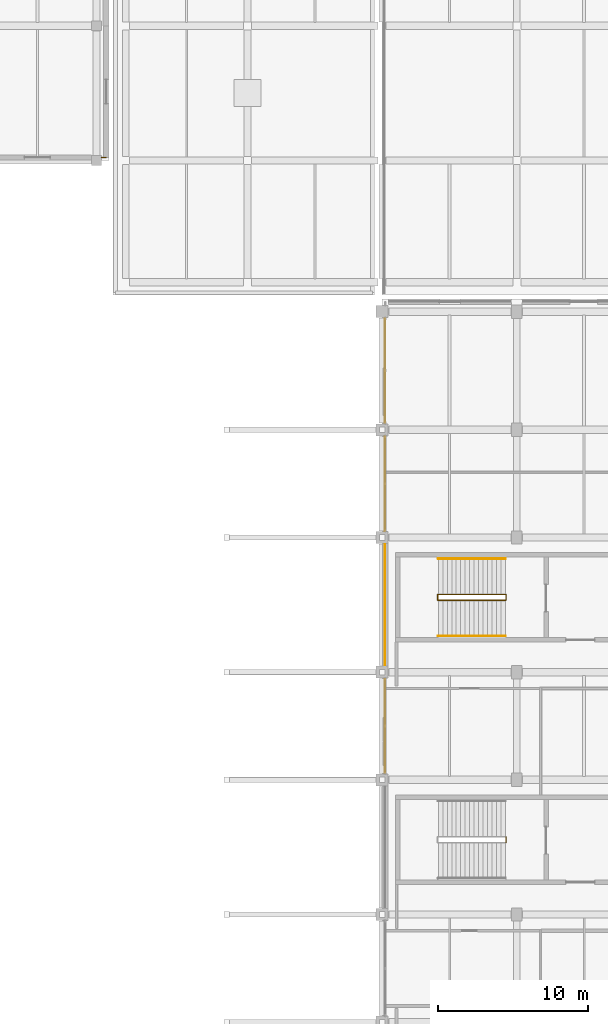
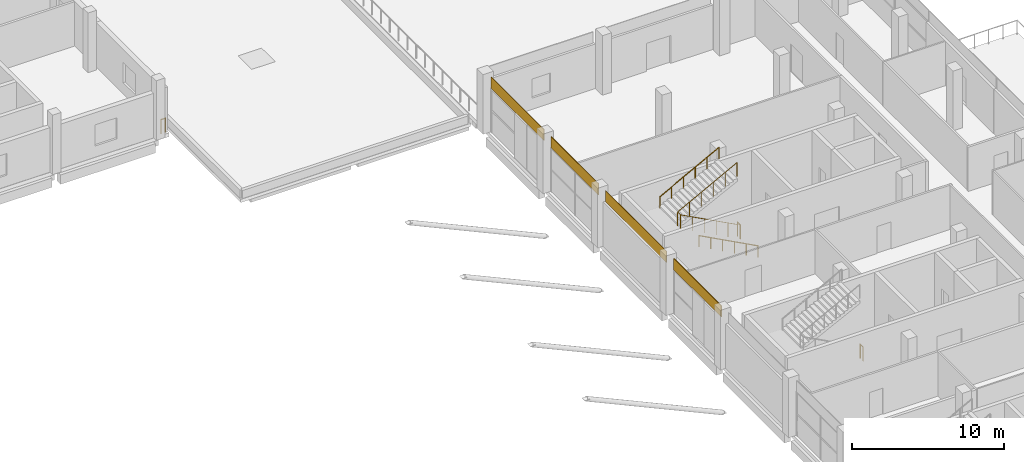
# One storey, part 77 of 82: 6 railings, 4 coverings.
"""IFC4 building model written with IfcOpenShell, lengths in metres."""

from ifc_helpers import new_model, si_unit, direction, frame, origin, origin_2d, place, context, subcontext, project, spatial, rectangle, circle, extrude, material, layer, layer_set, type_object, element, save


model = new_model("IFC4")

# Units and contexts
model_context = context("Model", 3, precision=1e-05, world=origin(), true_north=direction((0.0, 1.0)))
body_context = subcontext(model_context, "Body", "Model", "MODEL_VIEW")
ifc_project = project(units=[si_unit("LENGTHUNIT", "METRE"), si_unit("AREAUNIT", "SQUARE_METRE"), si_unit("VOLUMEUNIT", "CUBIC_METRE"), si_unit("PLANEANGLEUNIT", "RADIAN"), si_unit("MASSUNIT", "GRAM", prefix="KILO"), si_unit("THERMODYNAMICTEMPERATUREUNIT", "KELVIN"), si_unit("POWERUNIT", "WATT")], contexts=[model_context])

# Site, building, storey
site_placement = place(None, origin())
site = spatial("IfcSite", under=ifc_project, at=site_placement, CompositionType="ELEMENT")
building_placement = place(site_placement, origin())
building = spatial("IfcBuilding", under=site, at=building_placement, Name="Sindhuravela Promenade Stadium", CompositionType="ELEMENT")
storey_placement = place(building_placement, frame((0.0, 0.0, 14.39990234375)))
storey = spatial("IfcBuildingStorey", under=building, at=storey_placement, Name="L03", CompositionType="ELEMENT", Elevation=14.39990234375)

# Coverings
ifc_material_1 = material(Name="Polychrome trencadis ceramic mosaic", Category="masonry")
ifc_layer_1 = layer(ifc_material_1, 0.034912109375)
ifc_layer_set_1 = layer_set([ifc_layer_1], Name="Polychrome trencadis ceramic mosaic")
covering_type_1 = type_object("IfcCoveringType", Name="CV-TRENC-1", PredefinedType="CLADDING", material=ifc_layer_set_1)
covering_1_placement = place(storey_placement, frame((180.179931640625, 105.300048828125, 3.55517578125), z_axis=(0.0, 0.0, 1.0), x_axis=(0.0, 1.0, 0.0)))
element("IfcCovering", 1, at=covering_1_placement, inside=storey, type_object=covering_type_1, Name="Trencadis ceramic mosaic spandrel frieze EAST L03-208", PredefinedType="CLADDING", context=body_context, shape_type="SweptSolid", body=[
    extrude(rectangle(XDim=8.070068359375, YDim=0.034912109375, at=origin_2d()), origin(), (0.0, 0.0, 1.0), 0.905029296875),
])
covering_2_placement = place(storey_placement, frame((180.179931640625, 120.949951171875, 3.55517578125), z_axis=(0.0, 0.0, 1.0), x_axis=(0.0, 1.0, 0.0)))
element("IfcCovering", 2, at=covering_2_placement, inside=storey, type_object=covering_type_1, Name="Trencadis ceramic mosaic spandrel frieze EAST L03-210", PredefinedType="CLADDING", context=body_context, shape_type="SweptSolid", body=[
    extrude(rectangle(XDim=6.969970703125, YDim=0.034912109375, at=origin_2d()), origin(), (0.0, 0.0, 1.0), 0.905029296875),
])
ifc_layer_2 = layer(ifc_material_1, 0.050048828125)
ifc_layer_set_2 = layer_set([ifc_layer_2], Name="Polychrome trencadis ceramic mosaic")
covering_type_2 = type_object("IfcCoveringType", Name="CV-TRENC-2", PredefinedType="CLADDING", material=ifc_layer_set_2)
for number, where, z_axis, x_axis, name in (
    (3, (180.179931640625, 97.199951171875, 3.55517578125), (0.0, 0.0, 1.0), (0.0, 1.0, 0.0), "Trencadis ceramic mosaic spandrel frieze EAST L03-207"),
    (4, (180.179931640625, 113.39990234375, 3.55517578125), (0.0, 0.0, 1.0), (0.0, 1.0, 0.0), "Trencadis ceramic mosaic spandrel frieze EAST L03-209"),
):
    element("IfcCovering", number, at=place(storey_placement, frame(where, z_axis=z_axis, x_axis=x_axis)), inside=storey, type_object=covering_type_2, Name=name, PredefinedType="CLADDING", context=body_context, shape_type="SweptSolid", body=[
        extrude(rectangle(XDim=6.27001953125, YDim=0.050048828125, at=origin_2d()), origin(), (0.0, 0.0, 1.0), 0.905029296875),
    ])

# Railings
ifc_material_2 = material(Name="Architectural wrought steel E350", Category="steel")
railing_type_1 = type_object("IfcRailingType", Name="RL-GRD-1150", PredefinedType="GUARDRAIL", material=ifc_material_2)
railing_1_placement = place(storey_placement, frame((161.550048828125, 135.199951171875, 0.0)))
element("IfcRailing", 5, at=railing_1_placement, inside=storey, type_object=railing_type_1, Name="Perimeter edge return guard NORTH L03", PredefinedType="GUARDRAIL", context=body_context, shape_type="SweptSolid", body=[
    extrude(circle(Radius=0.02392578125, at=origin_2d()), frame((0.0, 0.0, 1.1259765625), z_axis=(-1.0, 0.0, 0.0), x_axis=(0.0, -1.0, 0.0)), (0.0, 0.0, 1.0), 0.320068359375),
    extrude(circle(Radius=0.02099609375, at=origin_2d()), origin(), (0.0, 0.0, 1.0), 1.101806640625),
    extrude(circle(Radius=0.02099609375, at=origin_2d()), frame((-0.320068359375, 0.0, 0.0)), (0.0, 0.0, 1.0), 1.101806640625),
])
railing_2_placement = place(storey_placement, frame((188.280029296875, 89.409912109375, 0.0)))
element("IfcRailing", 6, at=railing_2_placement, inside=storey, type_object=railing_type_1, Name="Stair ST07 landing well slot guard (L03)", PredefinedType="GUARDRAIL", context=body_context, shape_type="SweptSolid", body=[
    extrude(circle(Radius=0.02392578125, at=origin_2d()), frame((0.0, 0.0, 1.1259765625), z_axis=(0.0, 1.0, 0.0), x_axis=(-1.0, 0.0, 0.0)), (0.0, 0.0, 1.0), 0.380126953125),
    extrude(circle(Radius=0.02099609375, at=origin_2d()), origin(), (0.0, 0.0, 1.0), 1.101806640625),
    extrude(circle(Radius=0.02099609375, at=origin_2d()), frame((0.0, 0.380126953125, 0.0)), (0.0, 0.0, 1.0), 1.101806640625),
])
railing_3_placement = place(storey_placement, frame((188.25, 105.610107421875, 0.0)))
element("IfcRailing", 7, at=railing_3_placement, inside=storey, type_object=railing_type_1, Name="Stair ST08 inner well guard (L03)", PredefinedType="GUARDRAIL", context=body_context, shape_type="SweptSolid", body=[
    extrude(circle(Radius=0.02392578125, at=origin_2d()), frame((0.0, 0.0, 1.1259765625), z_axis=(-0.8836349624059475, 0.0, 0.46817651928929505), x_axis=(0.0, -1.0, 0.0)), (0.0, 0.0, 1.0), 5.12646484375),
    extrude(circle(Radius=0.02392578125, at=origin_2d()), frame((-4.530029296875, 0.0, 3.52587890625), z_axis=(0.0, 1.0, 0.0), x_axis=(-1.0, 0.0, 0.0)), (0.0, 0.0, 1.0), 0.3798828125),
    extrude(circle(Radius=0.02392578125, at=origin_2d()), frame((-4.530029296875, 0.3798828125, 3.52587890625), z_axis=(0.8836546633431795, 0.0, 0.46813933390802775), x_axis=(0.0, 1.0, 0.0)), (0.0, 0.0, 1.0), 5.12646484375),
    extrude(circle(Radius=0.02099609375, at=origin_2d()), origin(), (0.0, 0.0, 1.0), 1.101806640625),
    extrude(circle(Radius=0.02099609375, at=origin_2d()), frame((-0.906005859375, 0.0, 0.47998046875)), (0.0, 0.0, 1.0), 1.101806640625),
    extrude(circle(Radius=0.02099609375, at=origin_2d()), frame((-1.81201171875, 0.0, 0.9599609375)), (0.0, 0.0, 1.0), 1.101806640625),
    extrude(circle(Radius=0.02099609375, at=origin_2d()), frame((-2.718017578125, 0.0, 1.440185546875)), (0.0, 0.0, 1.0), 1.101806640625),
    extrude(circle(Radius=0.02099609375, at=origin_2d()), frame((-3.6240234375, 0.0, 1.920166015625)), (0.0, 0.0, 1.0), 1.101806640625),
    extrude(circle(Radius=0.02099609375, at=origin_2d()), frame((-4.530029296875, 0.0, 2.400146484375)), (0.0, 0.0, 1.0), 1.101806640625),
    extrude(circle(Radius=0.02099609375, at=origin_2d()), frame((-4.530029296875, 0.3798828125, 2.400146484375)), (0.0, 0.0, 1.0), 1.101806640625),
    extrude(circle(Radius=0.02099609375, at=origin_2d()), frame((-3.6240234375, 0.3798828125, 2.880126953125)), (0.0, 0.0, 1.0), 1.101806640625),
    extrude(circle(Radius=0.02099609375, at=origin_2d()), frame((-2.718017578125, 0.3798828125, 3.360107421875)), (0.0, 0.0, 1.0), 1.101806640625),
    extrude(circle(Radius=0.02099609375, at=origin_2d()), frame((-1.81201171875, 0.3798828125, 3.840087890625)), (0.0, 0.0, 1.0), 1.101806640625),
    extrude(circle(Radius=0.02099609375, at=origin_2d()), frame((-0.906005859375, 0.3798828125, 4.320068359375)), (0.0, 0.0, 1.0), 1.101806640625),
    extrude(circle(Radius=0.02099609375, at=origin_2d()), frame((0.0, 0.3798828125, 4.800048828125)), (0.0, 0.0, 1.0), 1.101806640625),
])
railing_4_placement = place(storey_placement, frame((188.280029296875, 105.610107421875, 0.0)))
element("IfcRailing", 8, at=railing_4_placement, inside=storey, type_object=railing_type_1, Name="Stair ST08 landing well slot guard (L03)", PredefinedType="GUARDRAIL", context=body_context, shape_type="SweptSolid", body=[
    extrude(circle(Radius=0.02392578125, at=origin_2d()), frame((0.0, 0.0, 1.1259765625), z_axis=(0.0, 1.0, 0.0), x_axis=(-1.0, 0.0, 0.0)), (0.0, 0.0, 1.0), 0.3798828125),
    extrude(circle(Radius=0.02099609375, at=origin_2d()), origin(), (0.0, 0.0, 1.0), 1.101806640625),
    extrude(circle(Radius=0.02099609375, at=origin_2d()), frame((0.0, 0.3798828125, 0.0)), (0.0, 0.0, 1.0), 1.101806640625),
])
railing_type_2 = type_object("IfcRailingType", Name="RL-HND-920", PredefinedType="HANDRAIL", material=ifc_material_2)
railing_5_placement = place(storey_placement, frame((188.25, 103.219970703125, 0.0)))
element("IfcRailing", 9, at=railing_5_placement, inside=storey, type_object=railing_type_2, Name="Stair ST08 lower wall handrail (L03)", PredefinedType="HANDRAIL", context=body_context, shape_type="SweptSolid", body=[
    extrude(circle(Radius=0.02392578125, at=origin_2d()), frame((0.0, 0.0, 0.89599609375), z_axis=(-0.8823410147872734, 0.0, 0.47061059659145427), x_axis=(0.0, -1.0, 0.0)), (0.0, 0.0, 1.0), 5.10009765625),
    extrude(circle(Radius=0.02099609375, at=origin_2d()), origin(), (0.0, 0.0, 1.0), 0.871826171875),
    extrude(circle(Radius=0.02099609375, at=origin_2d()), frame((-0.89990234375, 0.0, 0.47998046875)), (0.0, 0.0, 1.0), 0.871826171875),
    extrude(circle(Radius=0.02099609375, at=origin_2d()), frame((-1.800048828125, 0.0, 0.9599609375)), (0.0, 0.0, 1.0), 0.871826171875),
    extrude(circle(Radius=0.02099609375, at=origin_2d()), frame((-2.699951171875, 0.0, 1.440185546875)), (0.0, 0.0, 1.0), 0.871826171875),
    extrude(circle(Radius=0.02099609375, at=origin_2d()), frame((-3.60009765625, 0.0, 1.920166015625)), (0.0, 0.0, 1.0), 0.871826171875),
    extrude(circle(Radius=0.02099609375, at=origin_2d()), frame((-4.5, 0.0, 2.400146484375)), (0.0, 0.0, 1.0), 0.871826171875),
])
railing_6_placement = place(storey_placement, frame((183.75, 108.3798828125, 2.400146484375)))
element("IfcRailing", 10, at=railing_6_placement, inside=storey, type_object=railing_type_2, Name="Stair ST08 upper wall handrail (L03)", PredefinedType="HANDRAIL", context=body_context, shape_type="SweptSolid", body=[
    extrude(circle(Radius=0.02392578125, at=origin_2d()), frame((0.0, 0.0, 0.89599609375), z_axis=(0.8823608919668723, 0.0, 0.4705733272588083), x_axis=(0.0, 1.0, 0.0)), (0.0, 0.0, 1.0), 5.099853515625),
    extrude(circle(Radius=0.02099609375, at=origin_2d()), origin(), (0.0, 0.0, 1.0), 0.871826171875),
    extrude(circle(Radius=0.02099609375, at=origin_2d()), frame((0.89990234375, 0.0, 0.47998046875)), (0.0, 0.0, 1.0), 0.871826171875),
    extrude(circle(Radius=0.02099609375, at=origin_2d()), frame((1.800048828125, 0.0, 0.9599609375)), (0.0, 0.0, 1.0), 0.871826171875),
    extrude(circle(Radius=0.02099609375, at=origin_2d()), frame((2.699951171875, 0.0, 1.43994140625)), (0.0, 0.0, 1.0), 0.871826171875),
    extrude(circle(Radius=0.02099609375, at=origin_2d()), frame((3.60009765625, 0.0, 1.919921875)), (0.0, 0.0, 1.0), 0.871826171875),
    extrude(circle(Radius=0.02099609375, at=origin_2d()), frame((4.5, 0.0, 2.39990234375)), (0.0, 0.0, 1.0), 0.871826171875),
])

save(model, "model.ifc")
